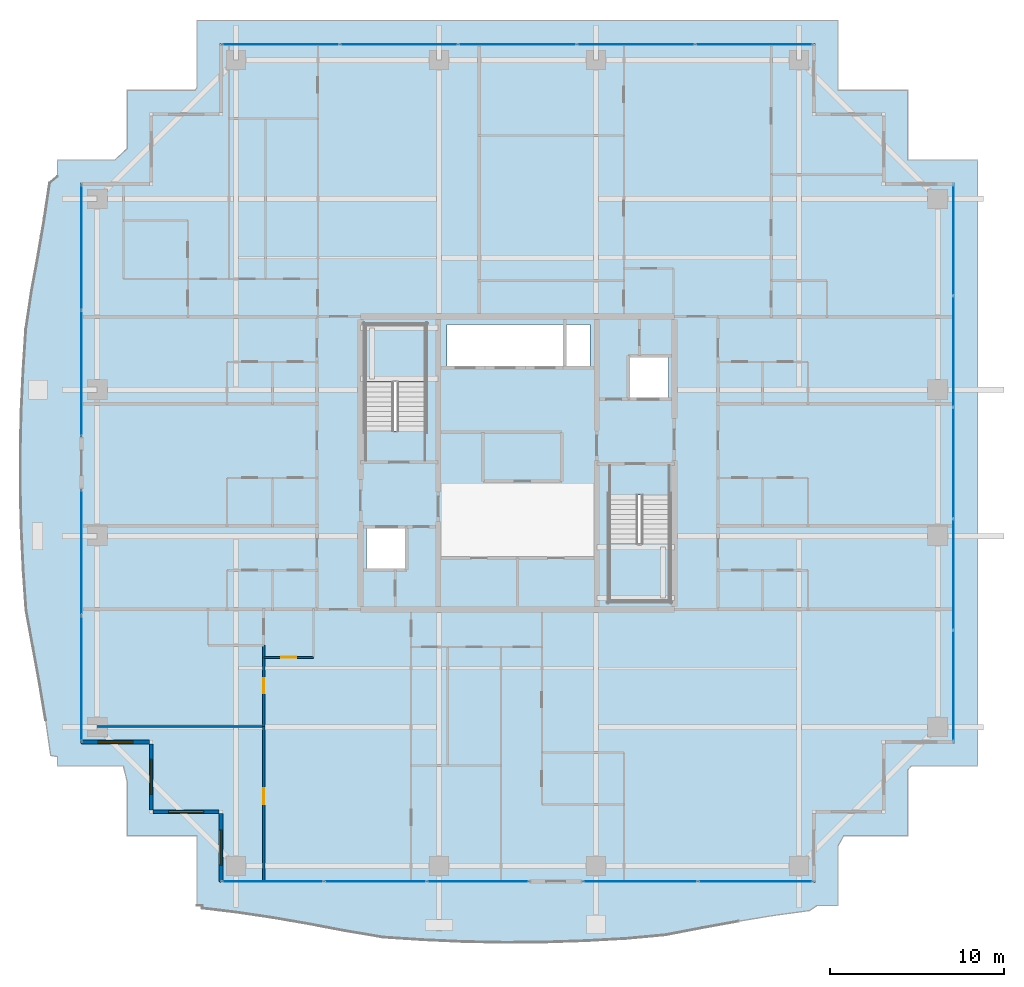
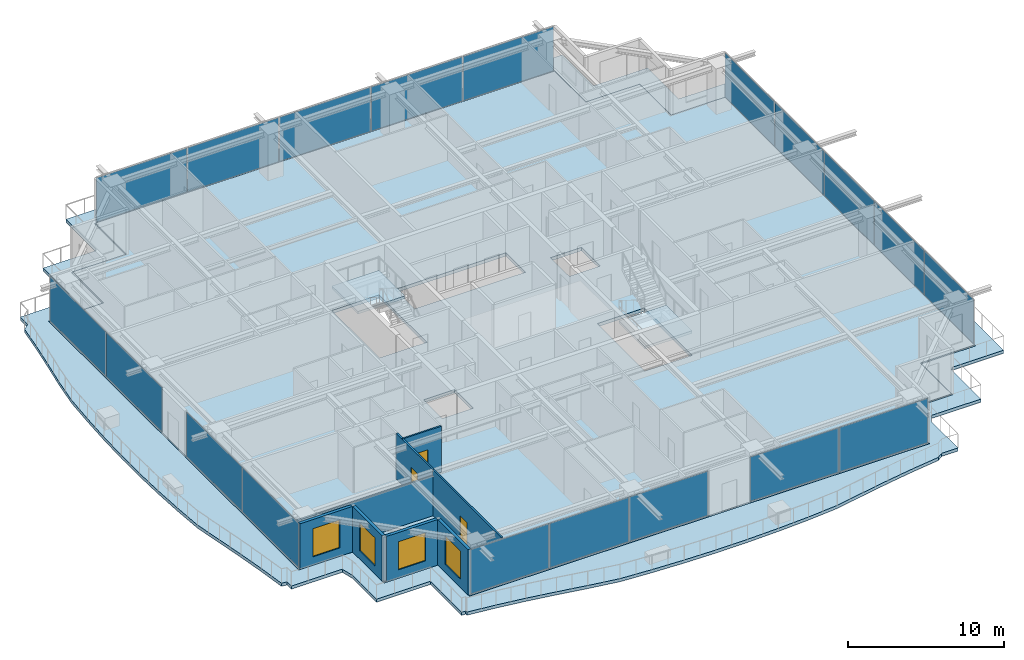
# One storey, part 24 of 36: 19 plates, 8 walls, 4 slabs, 4 windows, 3 doors, 7 openings, 8 elements without a shape of their own.
"""IFC4 building model written with IfcOpenShell, lengths in metres."""

from ifc_helpers import new_model, si_unit, direction, frame, frame_2d, origin, origin_2d, place, context, subcontext, project, spatial, polyline, rectangle, outline, extrude, source, transform, mapped, material, layer, layer_set, type_object, element, fill, aggregate, save


model = new_model("IFC4")

# Units and contexts
model_context = context("Model", 3, precision=1e-05, world=origin(), true_north=direction((0.0, 1.0)))
body_context = subcontext(model_context, "Body", "Model", "MODEL_VIEW")
ifc_project = project(units=[si_unit("LENGTHUNIT", "METRE"), si_unit("AREAUNIT", "SQUARE_METRE"), si_unit("VOLUMEUNIT", "CUBIC_METRE"), si_unit("PLANEANGLEUNIT", "RADIAN"), si_unit("MASSUNIT", "GRAM", prefix="KILO")], contexts=[model_context])

# Site, building, storey
site_placement = place(None, origin())
site = spatial("IfcSite", under=ifc_project, at=site_placement, CompositionType="ELEMENT")
building_placement = place(site_placement, origin())
building = spatial("IfcBuilding", under=site, at=building_placement, Name="Serunith Strait Residences", CompositionType="ELEMENT")
storey_placement = place(building_placement, frame((0.0, 0.0, 256.64990234375)))
storey = spatial("IfcBuildingStorey", under=building, at=storey_placement, Name="L64", CompositionType="ELEMENT", Elevation=256.64990234375)

# Slab
ifc_material_1 = material(Name="Concrete C50/60", Category="concrete")
ifc_layer_1 = layer(ifc_material_1, 0.239990234375, Name="Concrete C50/60")
ifc_layer_set_1 = layer_set([ifc_layer_1], Name="Concrete C50/60")
slab_type_1 = type_object("IfcSlabType", Name="SLB-BALC-240", PredefinedType="FLOOR", material=ifc_layer_set_1)
slab_1_placement = place(storey_placement, frame((0.0, 0.0, -0.289794921875)))
element("IfcSlab", 1, at=slab_1_placement, inside=storey, type_object=slab_type_1, Name="L64 Planted Vertical-Forest Balcony Slab", PredefinedType="FLOOR", context=body_context, shape_type="SweptSolid", body=[
    extrude(outline(polyline([(14.02001953125, -0.179931640625), (14.02001953125, 3.820068359375), (10.02001953125, 3.820068359375), (10.02001953125, 6.923828125), (9.799560546875, 7.820068359375), (6.02001953125, 7.820068359375), (6.02001953125, 8.360107421875), (5.632080078125, 8.42529296875), (5.34375, 10.454345703125), (5.0029296875, 12.506103515625), (4.621337890625, 14.597900390625), (4.225341796875, 16.74755859375), (4.06591796875, 19.013671875), (3.954345703125, 21.3125), (3.8955078125, 23.632080078125), (3.894287109375, 25.960205078125), (3.950439453125, 28.281982421875), (4.05859375, 30.584716796875), (4.208984375, 32.8583984375), (4.5322265625, 35.046630859375), (4.9189453125, 37.154296875), (5.27001953125, 39.21728515625), (5.5703125, 41.253173828125), (6.02001953125, 41.634765625), (6.02001953125, 42.580078125), (9.318603515625, 42.580078125), (10.02001953125, 43.2373046875), (10.02001953125, 46.580078125), (13.9189453125, 46.580078125), (14.02001953125, 46.734619140625), (14.02001953125, 50.580078125), (50.780029296875, 50.580078125), (50.780029296875, 46.580078125), (54.780029296875, 46.580078125), (54.780029296875, 42.580078125), (58.780029296875, 42.580078125), (58.780029296875, 7.820068359375), (54.97509765625, 7.820068359375), (54.780029296875, 7.597900390625), (54.780029296875, 3.820068359375), (51.106689453125, 3.820068359375), (50.780029296875, 3.230712890625), (50.780029296875, -0.179931640625), (49.564697265625, -0.179931640625), (49.153564453125, -0.465087890625), (47.12744140625, -0.74169921875), (45.081787109375, -1.076171875), (42.9990234375, -1.459716796875), (40.858642578125, -1.867919921875), (38.603271484375, -2.0751953125), (36.30126953125, -2.2041015625), (33.974365234375, -2.281005859375), (31.63623046875, -2.2978515625), (29.302001953125, -2.252685546875), (26.987060546875, -2.14990234375), (24.702880859375, -1.9990234375), (22.5244140625, -1.631591796875), (20.422607421875, -1.233154296875), (18.3662109375, -0.875732421875), (16.335693359375, -0.57421875), (14.31591796875, -0.330322265625), (14.317138671875, -0.179931640625), (14.02001953125, -0.179931640625)]), holes=[polyline([(49.455078125, 1.14501953125), (49.455078125, 5.14501953125), (53.455078125, 5.14501953125), (53.455078125, 9.14501953125), (57.455078125, 9.14501953125), (57.455078125, 41.2548828125), (53.455078125, 41.2548828125), (53.455078125, 45.2548828125), (49.455078125, 45.2548828125), (49.455078125, 49.2548828125), (15.344970703125, 49.2548828125), (15.344970703125, 45.2548828125), (11.344970703125, 45.2548828125), (11.344970703125, 41.2548828125), (7.344970703125, 41.2548828125), (7.344970703125, 9.14501953125), (11.344970703125, 9.14501953125), (11.344970703125, 5.14501953125), (15.344970703125, 5.14501953125), (15.344970703125, 1.14501953125), (49.455078125, 1.14501953125)])]), origin(), (0.0, 0.0, 1.0), 0.239990234375),
])

# Stair, slab
stair_type_1 = type_object("IfcStairType", Name="STR-CORE-1", PredefinedType="HALF_TURN_STAIR", material=ifc_material_1)
stair_1_placement = place(storey_placement, origin())
stair_1 = element("IfcStair", 2, at=stair_1_placement, inside=storey, type_object=stair_type_1, Name="L64 Protected Escape Stair ST-1", PredefinedType="HALF_TURN_STAIR")
ifc_layer_2 = layer(ifc_material_1, 0.199951171875, Name="Concrete C50/60")
ifc_layer_set_2 = layer_set([ifc_layer_2], Name="Concrete C50/60")
slab_type_2 = type_object("IfcSlabType", Name="SLB-LAND-200", PredefinedType="LANDING", material=ifc_layer_set_2)
slab_2_placement = place(storey_placement, frame((0.0, 0.0, 1.72509765625)))
slab_2 = element("IfcSlab", 3, at=slab_2_placement, type_object=slab_type_2, Name="ST-1 landing 1", PredefinedType="LANDING", context=body_context, shape_type="SweptSolid", body=[
    extrude(outline(polyline([(27.14990234375, 29.830078125), (27.14990234375, 33.14990234375), (23.64990234375, 33.14990234375), (23.64990234375, 29.830078125), (27.14990234375, 29.830078125)])), origin(), (0.0, 0.0, 1.0), 0.199951171875),
])
aggregate(stair_1, [slab_2])

stair_type_2 = type_object("IfcStairType", Name="STR-CORE-2", PredefinedType="HALF_TURN_STAIR", material=ifc_material_1)
stair_2_placement = place(storey_placement, origin())
stair_2 = element("IfcStair", 4, at=stair_2_placement, inside=storey, type_object=stair_type_2, Name="L64 Protected Escape Stair ST-2", PredefinedType="HALF_TURN_STAIR")
slab_3_placement = place(storey_placement, frame((0.0, 0.0, 1.72509765625)))
slab_3 = element("IfcSlab", 5, at=slab_3_placement, type_object=slab_type_2, Name="ST-2 landing 1", PredefinedType="LANDING", context=body_context, shape_type="SweptSolid", body=[
    extrude(outline(polyline([(37.64990234375, 20.570068359375), (37.64990234375, 17.25), (41.14990234375, 17.25), (41.14990234375, 20.570068359375), (37.64990234375, 20.570068359375)])), origin(), (0.0, 0.0, 1.0), 0.199951171875),
])
aggregate(stair_2, [slab_3])

# Slab
ifc_material_2 = material(Name="Concrete C60/75", Category="concrete")
ifc_layer_3 = layer(ifc_material_2, 0.260009765625, Name="Concrete C60/75")
ifc_layer_set_3 = layer_set([ifc_layer_3], Name="Concrete C60/75")
slab_type_3 = type_object("IfcSlabType", Name="SLB-TWR-275-Z3", PredefinedType="FLOOR", material=ifc_layer_set_3)
slab_4_placement = place(storey_placement, frame((0.0, 0.0, -0.260009765625)))
element("IfcSlab", 6, at=slab_4_placement, inside=storey, type_object=slab_type_3, Name="L64 Structural Floor Plate", PredefinedType="FLOOR", context=body_context, shape_type="SweptSolid", body=[
    extrude(outline(polyline([(15.39990234375, 5.199951171875), (11.39990234375, 5.199951171875), (11.39990234375, 9.199951171875), (7.39990234375, 9.199951171875), (7.39990234375, 41.199951171875), (11.39990234375, 41.199951171875), (11.39990234375, 45.199951171875), (15.39990234375, 45.199951171875), (15.39990234375, 49.199951171875), (49.39990234375, 49.199951171875), (49.39990234375, 45.199951171875), (53.39990234375, 45.199951171875), (53.39990234375, 41.199951171875), (57.39990234375, 41.199951171875), (57.39990234375, 9.199951171875), (53.39990234375, 9.199951171875), (53.39990234375, 5.199951171875), (49.39990234375, 5.199951171875), (49.39990234375, 1.199951171875), (15.39990234375, 1.199951171875), (15.39990234375, 5.199951171875)]), holes=[polyline([(41.14990234375, 23.3701171875), (37.64990234375, 23.3701171875), (37.64990234375, 17.25), (41.14990234375, 17.25), (41.14990234375, 23.3701171875)]), polyline([(38.75, 31.25), (38.75, 28.85009765625), (41.050048828125, 28.85009765625), (41.050048828125, 31.25), (38.75, 31.25)]), polyline([(36.550048828125, 33.14990234375), (28.35009765625, 33.14990234375), (28.35009765625, 30.64990234375), (36.550048828125, 30.64990234375), (36.550048828125, 33.14990234375)]), polyline([(23.64990234375, 33.14990234375), (23.64990234375, 27.030029296875), (27.14990234375, 27.030029296875), (27.14990234375, 33.14990234375), (23.64990234375, 33.14990234375)]), polyline([(23.75, 21.550048828125), (23.75, 19.14990234375), (26.050048828125, 19.14990234375), (26.050048828125, 21.550048828125), (23.75, 21.550048828125)])]), origin(), (0.0, 0.0, 1.0), 0.260009765625),
])

# Curtain wall, plates
ifc_material_3 = material(Name="Pale-Champagne Anodised Aluminium", Category="aluminium")
ifc_layer_4 = layer(ifc_material_3, 0.199951171875, Name="Pale-Champagne Anodised Aluminium")
ifc_layer_set_4 = layer_set([ifc_layer_4], Name="Pale-Champagne Anodised Aluminium")
curtain_wall_type = type_object("IfcCurtainWallType", Name="CW-SYS4", PredefinedType="NOTDEFINED", material=ifc_layer_set_4)
curtain_wall_1_placement = place(storey_placement, origin())
curtain_wall_1 = element("IfcCurtainWall", 7, at=curtain_wall_1_placement, inside=storey, type_object=curtain_wall_type, Name="L64 E Unitised Fritted Curtain Wall", PredefinedType="NOTDEFINED")
ifc_material_4 = material(Name="Ceramic-Printed Solar-Control Glazing 28mm", Category="glass")
ifc_layer_5 = layer(ifc_material_4, 0.028076171875, Name="Ceramic-Printed Solar-Control Glazing 28mm")
ifc_layer_set_5 = layer_set([ifc_layer_5], Name="Ceramic-Printed Solar-Control Glazing 28mm")
plate_type = type_object("IfcPlateType", Name="CW-SYS4-PNL", PredefinedType="CURTAIN_PANEL", material=ifc_layer_set_5)
shared_shape_1 = source(origin(), body_context, "Body", "SweptSolid", [
    extrude(rectangle(XDim=6.302490234375, YDim=0.028076171875, at=origin_2d()), origin(), (0.0, 0.0, 1.0), 3.455078125),
])
plate_1_placement = place(storey_placement, frame((57.39990234375, 12.416259765625, 0.06005859375), z_axis=(0.0, 0.0, 1.0), x_axis=(0.0, 1.0, 0.0)))
plate_1 = element("IfcPlate", 8, at=plate_1_placement, type_object=plate_type, Name="CW-4 panel 1.1", PredefinedType="CURTAIN_PANEL", context=body_context, shape_type="MappedRepresentation", body=[
    mapped(shared_shape_1, transform((0.0, 0.0, 0.0), scale=1.0)),
])
plate_2_placement = place(storey_placement, frame((57.39990234375, 37.983642578125, 0.06005859375), z_axis=(0.0, 0.0, 1.0), x_axis=(0.0, 1.0, 0.0)))
plate_2 = element("IfcPlate", 9, at=plate_2_placement, type_object=plate_type, Name="CW-4 panel 5.1", PredefinedType="CURTAIN_PANEL", context=body_context, shape_type="MappedRepresentation", body=[
    mapped(shared_shape_1, transform((0.0, 0.0, 0.0), scale=1.0)),
])
shared_shape_2 = source(origin(), body_context, "Body", "SweptSolid", [
    extrude(rectangle(XDim=6.3349609375, YDim=0.028076171875, at=origin_2d()), origin(), (0.0, 0.0, 1.0), 3.455078125),
])
plate_3_placement = place(storey_placement, frame((57.39990234375, 18.800048828125, 0.06005859375), z_axis=(0.0, 0.0, 1.0), x_axis=(0.0, 1.0, 0.0)))
plate_3 = element("IfcPlate", 10, at=plate_3_placement, type_object=plate_type, Name="CW-4 panel 2.1", PredefinedType="CURTAIN_PANEL", context=body_context, shape_type="MappedRepresentation", body=[
    mapped(shared_shape_2, transform((0.0, 0.0, 0.0), scale=1.0)),
])
plate_4_placement = place(storey_placement, frame((57.39990234375, 25.199951171875, 0.06005859375), z_axis=(0.0, 0.0, 1.0), x_axis=(0.0, 1.0, 0.0)))
plate_4 = element("IfcPlate", 11, at=plate_4_placement, type_object=plate_type, Name="CW-4 panel 3.1", PredefinedType="CURTAIN_PANEL", context=body_context, shape_type="MappedRepresentation", body=[
    mapped(shared_shape_2, transform((0.0, 0.0, 0.0), scale=1.0)),
])
plate_5_placement = place(storey_placement, frame((57.39990234375, 31.60009765625, 0.06005859375), z_axis=(0.0, 0.0, 1.0), x_axis=(0.0, 1.0, 0.0)))
plate_5 = element("IfcPlate", 12, at=plate_5_placement, type_object=plate_type, Name="CW-4 panel 4.1", PredefinedType="CURTAIN_PANEL", context=body_context, shape_type="MappedRepresentation", body=[
    mapped(shared_shape_2, transform((0.0, 0.0, 0.0), scale=1.0)),
])
aggregate(curtain_wall_1, [plate_1, plate_3, plate_4, plate_5, plate_2])

curtain_wall_2_placement = place(storey_placement, origin())
curtain_wall_2 = element("IfcCurtainWall", 13, at=curtain_wall_2_placement, inside=storey, type_object=curtain_wall_type, Name="L64 N Unitised Fritted Curtain Wall", PredefinedType="NOTDEFINED")
shared_shape_3 = source(origin(), body_context, "Body", "SweptSolid", [
    extrude(rectangle(XDim=6.702392578125, YDim=0.028076171875, at=origin_2d()), origin(), (0.0, 0.0, 1.0), 3.455078125),
])
plate_6_placement = place(storey_placement, frame((45.983642578125, 49.199951171875, 0.06005859375), z_axis=(0.0, 0.0, 1.0), x_axis=(-1.0, 0.0, 0.0)))
plate_6 = element("IfcPlate", 14, at=plate_6_placement, type_object=plate_type, Name="CW-4 panel 1.1", PredefinedType="CURTAIN_PANEL", context=body_context, shape_type="MappedRepresentation", body=[
    mapped(shared_shape_3, transform((0.0, 0.0, 0.0), scale=1.0)),
])
plate_7_placement = place(storey_placement, frame((18.816162109375, 49.199951171875, 0.06005859375), z_axis=(0.0, 0.0, 1.0), x_axis=(-1.0, 0.0, 0.0)))
plate_7 = element("IfcPlate", 15, at=plate_7_placement, type_object=plate_type, Name="CW-4 panel 5.1", PredefinedType="CURTAIN_PANEL", context=body_context, shape_type="MappedRepresentation", body=[
    mapped(shared_shape_3, transform((0.0, 0.0, 0.0), scale=1.0)),
])
shared_shape_4 = source(origin(), body_context, "Body", "SweptSolid", [
    extrude(rectangle(XDim=6.735107421875, YDim=0.028076171875, at=origin_2d()), origin(), (0.0, 0.0, 1.0), 3.455078125),
])
plate_8_placement = place(storey_placement, frame((39.199951171875, 49.199951171875, 0.06005859375), z_axis=(0.0, 0.0, 1.0), x_axis=(-1.0, 0.0, 0.0)))
plate_8 = element("IfcPlate", 16, at=plate_8_placement, type_object=plate_type, Name="CW-4 panel 2.1", PredefinedType="CURTAIN_PANEL", context=body_context, shape_type="MappedRepresentation", body=[
    mapped(shared_shape_4, transform((0.0, 0.0, 0.0), scale=1.0)),
])
plate_9_placement = place(storey_placement, frame((32.39990234375, 49.199951171875, 0.06005859375), z_axis=(0.0, 0.0, 1.0), x_axis=(-1.0, 0.0, 0.0)))
plate_9 = element("IfcPlate", 17, at=plate_9_placement, type_object=plate_type, Name="CW-4 panel 3.1", PredefinedType="CURTAIN_PANEL", context=body_context, shape_type="MappedRepresentation", body=[
    mapped(shared_shape_4, transform((0.0, 0.0, 0.0), scale=1.0)),
])
plate_10_placement = place(storey_placement, frame((25.60009765625, 49.199951171875, 0.06005859375), z_axis=(0.0, 0.0, 1.0), x_axis=(-1.0, 0.0, 0.0)))
plate_10 = element("IfcPlate", 18, at=plate_10_placement, type_object=plate_type, Name="CW-4 panel 4.1", PredefinedType="CURTAIN_PANEL", context=body_context, shape_type="MappedRepresentation", body=[
    mapped(shared_shape_4, transform((0.0, 0.0, 0.0), scale=1.0)),
])
aggregate(curtain_wall_2, [plate_6, plate_8, plate_9, plate_10, plate_7])

curtain_wall_3_placement = place(storey_placement, origin())
curtain_wall_3 = element("IfcCurtainWall", 19, at=curtain_wall_3_placement, inside=storey, type_object=curtain_wall_type, Name="L64 W Unitised Fritted Curtain Wall", PredefinedType="NOTDEFINED")
shared_shape_5 = source(origin(), body_context, "Body", "SweptSolid", [
    extrude(rectangle(XDim=7.152587890625, YDim=0.028076171875, at=origin_2d()), origin(), (0.0, 0.0, 1.0), 3.455078125),
])
plate_11_placement = place(storey_placement, frame((7.39990234375, 37.558837890625, 0.06005859375), z_axis=(0.0, 0.0, 1.0), x_axis=(0.0, -1.0, 0.0)))
plate_11 = element("IfcPlate", 20, at=plate_11_placement, type_object=plate_type, Name="CW-4 panel 1.1", PredefinedType="CURTAIN_PANEL", context=body_context, shape_type="MappedRepresentation", body=[
    mapped(shared_shape_5, transform((0.0, 0.0, 0.0), scale=1.0)),
])
plate_12_placement = place(storey_placement, frame((7.39990234375, 30.34130859375, 0.06005859375), z_axis=(0.0, 0.0, 1.0), x_axis=(0.0, -1.0, 0.0)))
plate_12 = element("IfcPlate", 21, at=plate_12_placement, type_object=plate_type, Name="CW-4 panel 2.1", PredefinedType="CURTAIN_PANEL", context=body_context, shape_type="MappedRepresentation", body=[
    mapped(shared_shape_5, transform((0.0, 0.0, 0.0), scale=1.0)),
])
aggregate(curtain_wall_3, [plate_11, plate_12])

curtain_wall_4_placement = place(storey_placement, origin())
curtain_wall_4 = element("IfcCurtainWall", 22, at=curtain_wall_4_placement, inside=storey, type_object=curtain_wall_type, Name="L64 W Unitised Fritted Curtain Wall", PredefinedType="NOTDEFINED")
plate_13_placement = place(storey_placement, frame((7.39990234375, 20.058837890625, 0.06005859375), z_axis=(0.0, 0.0, 1.0), x_axis=(0.0, -1.0, 0.0)))
plate_13 = element("IfcPlate", 23, at=plate_13_placement, type_object=plate_type, Name="CW-4 panel 1.1", PredefinedType="CURTAIN_PANEL", context=body_context, shape_type="MappedRepresentation", body=[
    mapped(shared_shape_5, transform((0.0, 0.0, 0.0), scale=1.0)),
])
plate_14_placement = place(storey_placement, frame((7.39990234375, 12.84130859375, 0.06005859375), z_axis=(0.0, 0.0, 1.0), x_axis=(0.0, -1.0, 0.0)))
plate_14 = element("IfcPlate", 24, at=plate_14_placement, type_object=plate_type, Name="CW-4 panel 2.1", PredefinedType="CURTAIN_PANEL", context=body_context, shape_type="MappedRepresentation", body=[
    mapped(shared_shape_5, transform((0.0, 0.0, 0.0), scale=1.0)),
])
aggregate(curtain_wall_4, [plate_13, plate_14])

curtain_wall_5_placement = place(storey_placement, origin())
curtain_wall_5 = element("IfcCurtainWall", 25, at=curtain_wall_5_placement, inside=storey, type_object=curtain_wall_type, Name="L64 S Unitised Fritted Curtain Wall", PredefinedType="NOTDEFINED")
shared_shape_6 = source(origin(), body_context, "Body", "SweptSolid", [
    extrude(rectangle(XDim=6.552490234375, YDim=0.028076171875, at=origin_2d()), origin(), (0.0, 0.0, 1.0), 3.455078125),
])
plate_15_placement = place(storey_placement, frame((39.441162109375, 1.199951171875, 0.06005859375), z_axis=(0.0, 0.0, 1.0), x_axis=(1.0, 0.0, 0.0)))
plate_15 = element("IfcPlate", 26, at=plate_15_placement, type_object=plate_type, Name="CW-4 panel 1.1", PredefinedType="CURTAIN_PANEL", context=body_context, shape_type="MappedRepresentation", body=[
    mapped(shared_shape_6, transform((0.0, 0.0, 0.0), scale=1.0)),
])
plate_16_placement = place(storey_placement, frame((46.058837890625, 1.199951171875, 0.06005859375), z_axis=(0.0, 0.0, 1.0), x_axis=(1.0, 0.0, 0.0)))
plate_16 = element("IfcPlate", 27, at=plate_16_placement, type_object=plate_type, Name="CW-4 panel 2.1", PredefinedType="CURTAIN_PANEL", context=body_context, shape_type="MappedRepresentation", body=[
    mapped(shared_shape_6, transform((0.0, 0.0, 0.0), scale=1.0)),
])
aggregate(curtain_wall_5, [plate_15, plate_16])

curtain_wall_6_placement = place(storey_placement, origin())
curtain_wall_6 = element("IfcCurtainWall", 28, at=curtain_wall_6_placement, inside=storey, type_object=curtain_wall_type, Name="L64 S Unitised Fritted Curtain Wall", PredefinedType="NOTDEFINED")
shared_shape_7 = source(origin(), body_context, "Body", "SweptSolid", [
    extrude(rectangle(XDim=5.802490234375, YDim=0.028076171875, at=origin_2d()), origin(), (0.0, 0.0, 1.0), 3.455078125),
])
plate_17_placement = place(storey_placement, frame((18.3662109375, 1.199951171875, 0.06005859375), z_axis=(0.0, 0.0, 1.0), x_axis=(1.0, 0.0, 0.0)))
plate_17 = element("IfcPlate", 29, at=plate_17_placement, type_object=plate_type, Name="CW-4 panel 1.1", PredefinedType="CURTAIN_PANEL", context=body_context, shape_type="MappedRepresentation", body=[
    mapped(shared_shape_7, transform((0.0, 0.0, 0.0), scale=1.0)),
])
plate_18_placement = place(storey_placement, frame((30.1337890625, 1.199951171875, 0.06005859375), z_axis=(0.0, 0.0, 1.0), x_axis=(1.0, 0.0, 0.0)))
plate_18 = element("IfcPlate", 30, at=plate_18_placement, type_object=plate_type, Name="CW-4 panel 3.1", PredefinedType="CURTAIN_PANEL", context=body_context, shape_type="MappedRepresentation", body=[
    mapped(shared_shape_7, transform((0.0, 0.0, 0.0), scale=1.0)),
])
shared_shape_8 = source(origin(), body_context, "Body", "SweptSolid", [
    extrude(rectangle(XDim=5.8349609375, YDim=0.028076171875, at=origin_2d()), origin(), (0.0, 0.0, 1.0), 3.455078125),
])
plate_19_placement = place(storey_placement, frame((24.25, 1.199951171875, 0.06005859375), z_axis=(0.0, 0.0, 1.0), x_axis=(1.0, 0.0, 0.0)))
plate_19 = element("IfcPlate", 31, at=plate_19_placement, type_object=plate_type, Name="CW-4 panel 2.1", PredefinedType="CURTAIN_PANEL", context=body_context, shape_type="MappedRepresentation", body=[
    mapped(shared_shape_8, transform((0.0, 0.0, 0.0), scale=1.0)),
])
aggregate(curtain_wall_6, [plate_17, plate_19, plate_18])

# Wall, opening, window
ifc_material_5 = material(Name="Pale-Champagne Aluminium Insulated Panel", Category="aluminium")
ifc_layer_6 = layer(ifc_material_5, 0.219970703125, Name="Pale-Champagne Aluminium Insulated Panel")
ifc_layer_set_6 = layer_set([ifc_layer_6], Name="Pale-Champagne Aluminium Insulated Panel")
wall_type_1 = type_object("IfcWallType", Name="EW-ALUM-220", PredefinedType="ELEMENTEDWALL", material=ifc_layer_set_6)
wall_1_placement = place(storey_placement, frame((7.39990234375, 9.199951171875, 0.0), z_axis=(0.0, 0.0, 1.0), x_axis=(1.0, 0.0, 0.0)))
wall_1 = element("IfcWall", 32, at=wall_1_placement, inside=storey, type_object=wall_type_1, Name="L64 Girih Serrated Corner Wall 17", PredefinedType="ELEMENTEDWALL", context=body_context, shape_type="SweptSolid", body=[
    extrude(rectangle(XDim=3.89013671875, YDim=0.219970703125, at=frame_2d((1.945068359375, 0.0))), origin(), (0.0, 0.0, 1.0), 3.5751953125),
])
opening_1_placement = place(wall_1_placement, frame((0.945068359375, 0.0, 0.64990234375)))
opening_1 = element("IfcOpeningElement", 33, at=opening_1_placement, cuts=wall_1, Name="Opening W-04", PredefinedType="OPENING", context=body_context, shape_type="SweptSolid", body=[
    extrude(rectangle(XDim=2.0, YDim=2.199951171875, at=frame_2d((1.0, 1.10009765625))), frame((0.0, 0.1201171875, 0.0), z_axis=(0.0, -1.0, 0.0), x_axis=(1.0, 0.0, 0.0)), (0.0, 0.0, 1.0), 0.239990234375),
])
ifc_material_6 = material(Name="Ceramic-Fritted Operable Aluminium Window Glass", Category="aluminium")
window_type = type_object("IfcWindowType", Name="WIN-C4", PartitioningType="TRIPLE_PANEL_VERTICAL", PredefinedType="WINDOW", material=ifc_material_6)
shared_shape_9 = source(origin(), body_context, "Body", "SweptSolid", [
    extrude(rectangle(XDim=2.0, YDim=2.199951171875, at=frame_2d((1.0, 1.10009765625))), frame((0.0, 0.030029296875, 0.0), z_axis=(0.0, -1.0, 0.0), x_axis=(1.0, 0.0, 0.0)), (0.0, 0.0, 1.0), 0.06005859375),
])
window_1_placement = place(opening_1_placement, origin())
window_1 = element("IfcWindow", 34, at=window_1_placement, inside=storey, type_object=window_type, Name="L64 Corner Operable Fritted Window 17", OverallHeight=2.199951171875, OverallWidth=2.0, PartitioningType="SINGLE_PANEL", PredefinedType="WINDOW", context=body_context, shape_type="MappedRepresentation", body=[
    mapped(shared_shape_9, transform((0.0, 0.0, 0.0), scale=1.0)),
])
fill(opening_1, window_1)

wall_2_placement = place(storey_placement, frame((11.39990234375, 9.090087890625, 0.0), z_axis=(0.0, 0.0, 1.0), x_axis=(0.0, -1.0, 0.0)))
wall_2 = element("IfcWall", 35, at=wall_2_placement, inside=storey, type_object=wall_type_1, Name="L64 Girih Serrated Corner Wall 18", PredefinedType="ELEMENTEDWALL", context=body_context, shape_type="SweptSolid", body=[
    extrude(rectangle(XDim=3.780029296875, YDim=0.219970703125, at=frame_2d((1.89013671875, 0.0))), origin(), (0.0, 0.0, 1.0), 3.5751953125),
])
opening_2_placement = place(wall_2_placement, frame((0.889892578125, 0.0, 0.64990234375)))
opening_2 = element("IfcOpeningElement", 36, at=opening_2_placement, cuts=wall_2, Name="Opening W-04", PredefinedType="OPENING", context=body_context, shape_type="SweptSolid", body=[
    extrude(rectangle(XDim=2.0, YDim=2.199951171875, at=frame_2d((1.0, 1.10009765625))), frame((0.0, 0.1201171875, 0.0), z_axis=(0.0, -1.0, 0.0), x_axis=(1.0, 0.0, 0.0)), (0.0, 0.0, 1.0), 0.239990234375),
])
window_2_placement = place(opening_2_placement, origin())
window_2 = element("IfcWindow", 37, at=window_2_placement, inside=storey, type_object=window_type, Name="L64 Corner Operable Fritted Window 18", OverallHeight=2.199951171875, OverallWidth=2.0, PartitioningType="SINGLE_PANEL", PredefinedType="WINDOW", context=body_context, shape_type="MappedRepresentation", body=[
    mapped(shared_shape_9, transform((0.0, 0.0, 0.0), scale=1.0)),
])
fill(opening_2, window_2)

wall_3_placement = place(storey_placement, frame((11.510009765625, 5.199951171875, 0.0), z_axis=(0.0, 0.0, 1.0), x_axis=(1.0, 0.0, 0.0)))
wall_3 = element("IfcWall", 38, at=wall_3_placement, inside=storey, type_object=wall_type_1, Name="L64 Girih Serrated Corner Wall 19", PredefinedType="ELEMENTEDWALL", context=body_context, shape_type="SweptSolid", body=[
    extrude(rectangle(XDim=3.780029296875, YDim=0.219970703125, at=frame_2d((1.89013671875, 0.0))), origin(), (0.0, 0.0, 1.0), 3.5751953125),
])
opening_3_placement = place(wall_3_placement, frame((0.889892578125, 0.0, 0.64990234375)))
opening_3 = element("IfcOpeningElement", 39, at=opening_3_placement, cuts=wall_3, Name="Opening W-04", PredefinedType="OPENING", context=body_context, shape_type="SweptSolid", body=[
    extrude(rectangle(XDim=2.0, YDim=2.199951171875, at=frame_2d((1.0, 1.10009765625))), frame((0.0, 0.1201171875, 0.0), z_axis=(0.0, -1.0, 0.0), x_axis=(1.0, 0.0, 0.0)), (0.0, 0.0, 1.0), 0.239990234375),
])
window_3_placement = place(opening_3_placement, origin())
window_3 = element("IfcWindow", 40, at=window_3_placement, inside=storey, type_object=window_type, Name="L64 Corner Operable Fritted Window 19", OverallHeight=2.199951171875, OverallWidth=2.0, PartitioningType="SINGLE_PANEL", PredefinedType="WINDOW", context=body_context, shape_type="MappedRepresentation", body=[
    mapped(shared_shape_9, transform((0.0, 0.0, 0.0), scale=1.0)),
])
fill(opening_3, window_3)

wall_4_placement = place(storey_placement, frame((15.39990234375, 5.090087890625, 0.0), z_axis=(0.0, 0.0, 1.0), x_axis=(0.0, -1.0, 0.0)))
wall_4 = element("IfcWall", 41, at=wall_4_placement, inside=storey, type_object=wall_type_1, Name="L64 Girih Serrated Corner Wall 20", PredefinedType="ELEMENTEDWALL", context=body_context, shape_type="SweptSolid", body=[
    extrude(rectangle(XDim=3.89013671875, YDim=0.219970703125, at=frame_2d((1.945068359375, 0.0))), origin(), (0.0, 0.0, 1.0), 3.5751953125),
])
opening_4_placement = place(wall_4_placement, frame((0.945068359375, 0.0, 0.64990234375)))
opening_4 = element("IfcOpeningElement", 42, at=opening_4_placement, cuts=wall_4, Name="Opening W-04", PredefinedType="OPENING", context=body_context, shape_type="SweptSolid", body=[
    extrude(rectangle(XDim=2.0, YDim=2.199951171875, at=frame_2d((1.0, 1.10009765625))), frame((0.0, 0.1201171875, 0.0), z_axis=(0.0, -1.0, 0.0), x_axis=(1.0, 0.0, 0.0)), (0.0, 0.0, 1.0), 0.239990234375),
])
window_4_placement = place(opening_4_placement, origin())
window_4 = element("IfcWindow", 43, at=window_4_placement, inside=storey, type_object=window_type, Name="L64 Corner Operable Fritted Window 20", OverallHeight=2.199951171875, OverallWidth=2.0, PartitioningType="SINGLE_PANEL", PredefinedType="WINDOW", context=body_context, shape_type="MappedRepresentation", body=[
    mapped(shared_shape_9, transform((0.0, 0.0, 0.0), scale=1.0)),
])
fill(opening_4, window_4)

# Wall, opening, door
ifc_material_7 = material(Name="Lightweight steel-stud gypsum partition", Category="steel")
ifc_layer_7 = layer(ifc_material_7, 0.1201171875, Name="Lightweight steel-stud gypsum partition")
ifc_layer_set_7 = layer_set([ifc_layer_7], Name="Lightweight steel-stud gypsum partition")
wall_type_2 = type_object("IfcWallType", Name="IW-PART-120", PredefinedType="PARTITIONING", material=ifc_layer_set_7)
wall_5_placement = place(storey_placement, frame((17.85009765625, 14.050048828125, 0.0), z_axis=(0.0, 0.0, 1.0), x_axis=(1.0, 0.0, 0.0)))
wall_5 = element("IfcWall", 44, at=wall_5_placement, inside=storey, type_object=wall_type_2, Name="L64 Partition Wall 035", PredefinedType="PARTITIONING", context=body_context, shape_type="SweptSolid", body=[
    extrude(rectangle(XDim=2.849853515625, YDim=0.1201171875, at=frame_2d((1.4248046875, 0.0))), origin(), (0.0, 0.0, 1.0), 3.590087890625),
])
opening_5_placement = place(wall_5_placement, frame((1.0, 0.0, 0.0)))
opening_5 = element("IfcOpeningElement", 45, at=opening_5_placement, cuts=wall_5, Name="Opening D-RM850", PredefinedType="OPENING", context=body_context, shape_type="SweptSolid", body=[
    extrude(rectangle(XDim=0.85009765625, YDim=2.10009765625, at=frame_2d((0.425048828125, 1.050048828125))), frame((0.0, 0.070068359375, 0.0), z_axis=(0.0, -1.0, 0.0), x_axis=(1.0, 0.0, 0.0)), (0.0, 0.0, 1.0), 0.14013671875),
])
ifc_material_8 = material(Name="Engineered timber flush study and kitchen door", Category="wood")
door_type_1 = type_object("IfcDoorType", Name="ID-ROOM-850", OperationType="NOTDEFINED", PredefinedType="DOOR", material=ifc_material_8)
shared_shape_10 = source(origin(), body_context, "Body", "SweptSolid", [
    extrude(rectangle(XDim=0.85009765625, YDim=2.10009765625, at=frame_2d((0.425048828125, 1.050048828125))), frame((0.0, 0.02490234375, 0.0), z_axis=(0.0, -1.0, 0.0), x_axis=(1.0, 0.0, 0.0)), (0.0, 0.0, 1.0), 0.050048828125),
])
door_1_placement = place(opening_5_placement, origin())
door_1 = element("IfcDoor", 46, at=door_1_placement, inside=storey, type_object=door_type_1, Name="L64 Kitchen 6401 Door", OperationType="SINGLE_SWING_LEFT", OverallHeight=2.10009765625, OverallWidth=0.85009765625, PredefinedType="DOOR", context=body_context, shape_type="MappedRepresentation", body=[
    mapped(shared_shape_10, transform((0.0, 0.0, 0.0), scale=1.0)),
])
fill(opening_5, door_1)

wall_6_placement = place(storey_placement, frame((17.85009765625, 1.294921875, 0.0), z_axis=(0.0, 0.0, 1.0), x_axis=(0.0, 1.0, 0.0)))
wall_6 = element("IfcWall", 47, at=wall_6_placement, inside=storey, type_object=wall_type_2, Name="L64 Partition Wall 037", PredefinedType="PARTITIONING", context=body_context, shape_type="SweptSolid", body=[
    extrude(rectangle(XDim=8.799072265625, YDim=0.1201171875, at=frame_2d((4.3994140625, 0.0))), origin(), (0.0, 0.0, 1.0), 3.590087890625),
])
opening_6_placement = place(wall_6_placement, frame((4.343994140625, 0.0, 0.0)))
opening_6 = element("IfcOpeningElement", 48, at=opening_6_placement, cuts=wall_6, Name="Opening D-RM900", PredefinedType="OPENING", context=body_context, shape_type="SweptSolid", body=[
    extrude(rectangle(XDim=0.89990234375, YDim=2.10009765625, at=frame_2d((0.449951171875, 1.050048828125))), frame((0.0, 0.070068359375, 0.0), z_axis=(0.0, -1.0, 0.0), x_axis=(1.0, 0.0, 0.0)), (0.0, 0.0, 1.0), 0.14013671875),
])
ifc_material_9 = material(Name="Engineered timber flush bedroom door", Category="wood")
door_type_2 = type_object("IfcDoorType", Name="ID-ROOM-900", OperationType="NOTDEFINED", PredefinedType="DOOR", material=ifc_material_9)
shared_shape_11 = source(origin(), body_context, "Body", "SweptSolid", [
    extrude(rectangle(XDim=0.89990234375, YDim=2.10009765625, at=frame_2d((0.449951171875, 1.050048828125))), frame((0.0, 0.02490234375, 0.0), z_axis=(0.0, -1.0, 0.0), x_axis=(1.0, 0.0, 0.0)), (0.0, 0.0, 1.0), 0.050048828125),
])
door_2_placement = place(opening_6_placement, origin())
door_2 = element("IfcDoor", 49, at=door_2_placement, inside=storey, type_object=door_type_2, Name="L64 Master Bedroom 1 6401 Door", OperationType="SINGLE_SWING_RIGHT", OverallHeight=2.10009765625, OverallWidth=0.89990234375, PredefinedType="DOOR", context=body_context, shape_type="MappedRepresentation", body=[
    mapped(shared_shape_11, transform((0.0, 0.0, 0.0), scale=1.0)),
])
fill(opening_6, door_2)

# Wall
wall_7_placement = place(storey_placement, frame((7.4951171875, 10.093994140625, 0.0), z_axis=(0.0, 0.0, 1.0), x_axis=(1.0, 0.0, 0.0)))
element("IfcWall", 50, at=wall_7_placement, inside=storey, type_object=wall_type_2, Name="L64 Partition Wall 038", PredefinedType="PARTITIONING", context=body_context, shape_type="SweptSolid", body=[
    extrude(rectangle(XDim=10.35498046875, YDim=0.1201171875, at=frame_2d((5.177490234375, 0.0))), origin(), (0.0, 0.0, 1.0), 3.1220703125),
])

# Wall, opening, door
wall_8_placement = place(storey_placement, frame((17.85009765625, 10.095947265625, 0.0), z_axis=(0.0, 0.0, 1.0), x_axis=(0.0, 1.0, 0.0)))
wall_8 = element("IfcWall", 51, at=wall_8_placement, inside=storey, type_object=wall_type_2, Name="L64 Partition Wall 041", PredefinedType="PARTITIONING", context=body_context, shape_type="SweptSolid", body=[
    extrude(rectangle(XDim=4.654052734375, YDim=0.1201171875, at=frame_2d((2.3271484375, 0.0))), origin(), (0.0, 0.0, 1.0), 3.590087890625),
])
opening_7_placement = place(wall_8_placement, frame((1.902099609375, 0.0, 0.0)))
opening_7 = element("IfcOpeningElement", 52, at=opening_7_placement, cuts=wall_8, Name="Opening D-RM850", PredefinedType="OPENING", context=body_context, shape_type="SweptSolid", body=[
    extrude(rectangle(XDim=0.85009765625, YDim=2.10009765625, at=frame_2d((0.425048828125, 1.050048828125))), frame((0.0, 0.070068359375, 0.0), z_axis=(0.0, -1.0, 0.0), x_axis=(1.0, 0.0, 0.0)), (0.0, 0.0, 1.0), 0.14013671875),
])
door_3_placement = place(opening_7_placement, origin())
door_3 = element("IfcDoor", 53, at=door_3_placement, inside=storey, type_object=door_type_1, Name="L64 Walk-in Wardrobe 6401 Door", OperationType="SINGLE_SWING_LEFT", OverallHeight=2.10009765625, OverallWidth=0.85009765625, PredefinedType="DOOR", context=body_context, shape_type="MappedRepresentation", body=[
    mapped(shared_shape_10, transform((0.0, 0.0, 0.0), scale=1.0)),
])
fill(opening_7, door_3)

save(model, "model.ifc")
